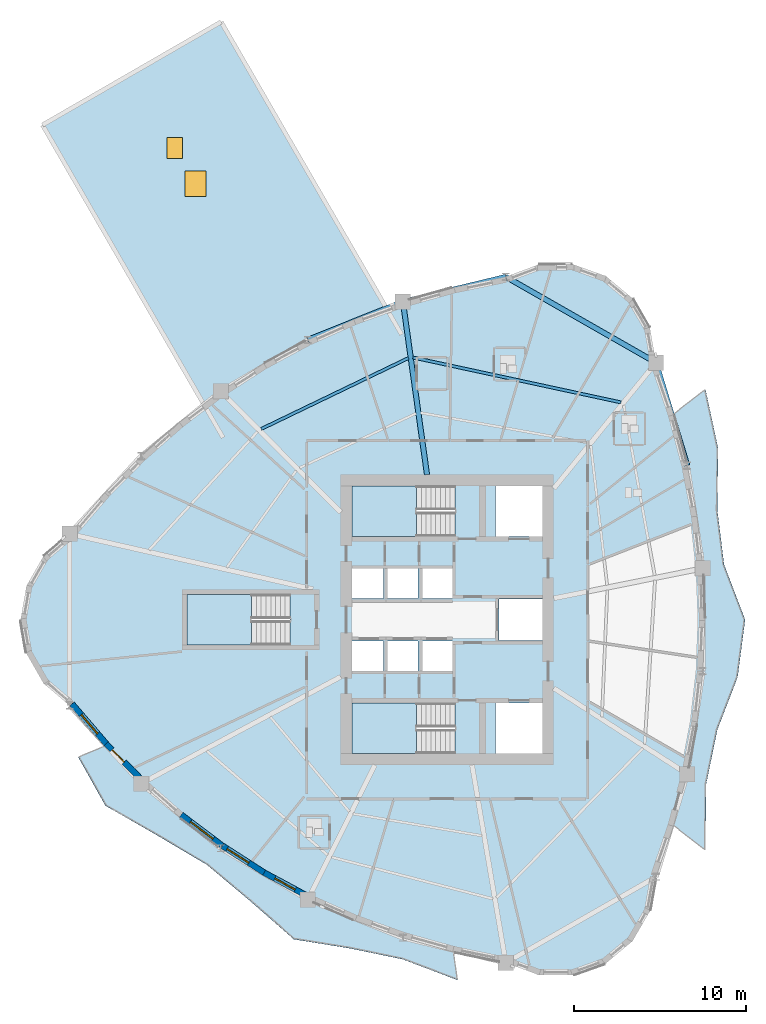
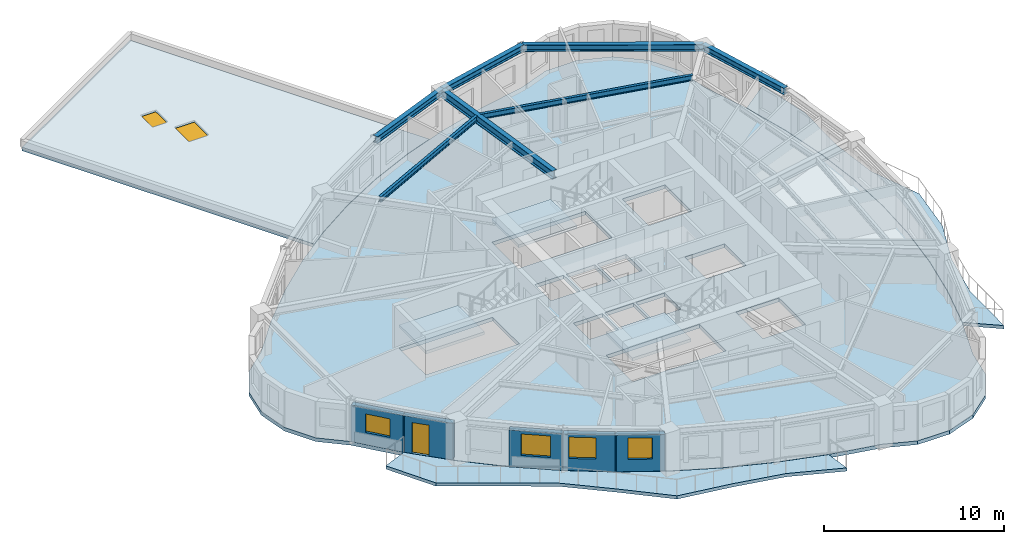
# One storey, part 2 of 13: 7 beams, 7 slabs, 6 windows, 5 walls, 1 door, 7 openings, 3 elements without a shape of their own.
"""IFC4 building model written with IfcOpenShell, lengths in metres."""

from ifc_helpers import new_model, si_unit, direction, frame, frame_2d, origin, origin_2d, place, context, subcontext, project, spatial, polyline, rectangle, i_section, outline, extrude, source, transform, mapped, material, layer, layer_set, material_profile, profile_set, type_object, element, fill, aggregate, save


model = new_model("IFC4")

# Units and contexts
model_context = context("Model", 3, precision=1e-05, world=origin(), true_north=direction((0.0, 1.0)))
body_context = subcontext(model_context, "Body", "Model", "MODEL_VIEW")
ifc_project = project(units=[si_unit("LENGTHUNIT", "METRE"), si_unit("AREAUNIT", "SQUARE_METRE"), si_unit("VOLUMEUNIT", "CUBIC_METRE"), si_unit("PLANEANGLEUNIT", "RADIAN"), si_unit("MASSUNIT", "GRAM", prefix="KILO")], contexts=[model_context])

# Site, building, storey
site_placement = place(None, origin())
site = spatial("IfcSite", under=ifc_project, at=site_placement, CompositionType="ELEMENT")
building_placement = place(site_placement, origin())
building = spatial("IfcBuilding", under=site, at=building_placement, Name="Qafzar Sky-Pleat Residences", CompositionType="ELEMENT")
storey_placement = place(building_placement, frame((0.0, 0.0, 89.60009765625)))
storey = spatial("IfcBuildingStorey", under=building, at=storey_placement, Name="L26", CompositionType="ELEMENT", Elevation=89.60009765625)

# Beams
ifc_material_1 = material(Name="Steel S355", Category="steel")
ifc_material_profile_1 = material_profile(ifc_material_1, i_section(OverallWidth=0.300048828125, OverallDepth=0.449951171875, WebThickness=0.013916015625, FlangeThickness=0.02587890625, FilletRadius=0.027099609375, at=origin_2d()), Name="HEB 450")
ifc_profile_set_1 = profile_set([ifc_material_profile_1], Name="Steel S355")
beam_type_1 = type_object("IfcBeamType", Name="BM-SPAN-HEB450", PredefinedType="SPANDREL", material=ifc_profile_set_1)
shared_shape_1 = source(origin(), body_context, "Body", "SweptSolid", [
    extrude(i_section(OverallWidth=0.300048828125, OverallDepth=0.449951171875, WebThickness=0.013916015625, FlangeThickness=0.02587890625, FilletRadius=0.027099609375, at=origin_2d()), origin(), (0.0, 0.0, 1.0), 10.072021484375),
])
beam_1_placement = place(storey_placement, frame((42.5048828125, 40.97119140625, 2.722900390625), z_axis=(-0.868286397172, 0.496063234363, 0.0), x_axis=(-0.496063234363, -0.868286397172, 0.0)))
element("IfcBeam", 1, at=beam_1_placement, inside=storey, type_object=beam_type_1, Name="L26 Perimeter Spandrel Beam 13", PredefinedType="SPANDREL", context=body_context, shape_type="MappedRepresentation", body=[
    mapped(shared_shape_1, transform((0.0, 0.0, 0.0), x_axis=(1.0, 0.0, 0.0), y_axis=(0.0, 1.0, 0.0), z_axis=(0.0, 0.0, 1.0), scale=1.0)),
])
shared_shape_2 = source(origin(), body_context, "Body", "SweptSolid", [
    extrude(i_section(OverallWidth=0.300048828125, OverallDepth=0.449951171875, WebThickness=0.013916015625, FlangeThickness=0.02587890625, FilletRadius=0.027099609375, at=origin_2d()), origin(), (0.0, 0.0, 1.0), 6.162353515625),
])
beam_2_placement = place(storey_placement, frame((33.759521484375, 45.967529296875, 2.722900390625), z_axis=(-0.971914942444, -0.235332413098, 0.0), x_axis=(0.235332413098, -0.971914942444, 0.0)))
element("IfcBeam", 2, at=beam_2_placement, inside=storey, type_object=beam_type_1, Name="L26 Perimeter Spandrel Beam 14", PredefinedType="SPANDREL", context=body_context, shape_type="MappedRepresentation", body=[
    mapped(shared_shape_2, transform((0.0, 0.0, 0.0), x_axis=(1.0, 0.0, 0.0), y_axis=(0.0, 1.0, 0.0), z_axis=(0.0, 0.0, 1.0), scale=1.0)),
])
shared_shape_3 = source(origin(), body_context, "Body", "SweptSolid", [
    extrude(i_section(OverallWidth=0.300048828125, OverallDepth=0.449951171875, WebThickness=0.013916015625, FlangeThickness=0.02587890625, FilletRadius=0.027099609375, at=origin_2d()), origin(), (0.0, 0.0, 1.0), 5.963623046875),
])
beam_3_placement = place(storey_placement, frame((27.770263671875, 44.517333984375, 2.722900390625), z_axis=(-0.92796478, -0.372667904546, 0.0), x_axis=(0.372667904546, -0.92796478, 0.0)))
element("IfcBeam", 3, at=beam_3_placement, inside=storey, type_object=beam_type_1, Name="L26 Perimeter Spandrel Beam 15", PredefinedType="SPANDREL", context=body_context, shape_type="MappedRepresentation", body=[
    mapped(shared_shape_3, transform((0.0, 0.0, 0.0), x_axis=(1.0, 0.0, 0.0), y_axis=(0.0, 1.0, 0.0), z_axis=(0.0, 0.0, 1.0), scale=1.0)),
])
shared_shape_4 = source(origin(), body_context, "Body", "SweptSolid", [
    extrude(i_section(OverallWidth=0.300048828125, OverallDepth=0.449951171875, WebThickness=0.013916015625, FlangeThickness=0.02587890625, FilletRadius=0.027099609375, at=origin_2d()), origin(), (0.0, 0.0, 1.0), 6.259033203125),
])
beam_4_placement = place(storey_placement, frame((44.325439453125, 34.982666015625, 2.722900390625), z_axis=(-0.290863594667, 0.956764531793, 0.0), x_axis=(-0.956764531793, -0.290863594667, 0.0)))
element("IfcBeam", 4, at=beam_4_placement, inside=storey, type_object=beam_type_1, Name="L26 Perimeter Spandrel Beam 12", PredefinedType="SPANDREL", context=body_context, shape_type="MappedRepresentation", body=[
    mapped(shared_shape_4, transform((0.0, 0.0, 0.0), x_axis=(1.0, 0.0, 0.0), y_axis=(0.0, 1.0, 0.0), z_axis=(0.0, 0.0, 1.0), scale=1.0)),
])
ifc_material_profile_2 = material_profile(ifc_material_1, i_section(OverallWidth=0.300048828125, OverallDepth=0.550048828125, WebThickness=0.014892578125, FlangeThickness=0.029052734375, FilletRadius=0.027099609375, at=origin_2d()), Name="HEB 550")
ifc_profile_set_2 = profile_set([ifc_material_profile_2], Name="Steel S355")
beam_type_2 = type_object("IfcBeamType", Name="BM-GIRD-HEB550", PredefinedType="BEAM", material=ifc_profile_set_2)
shared_shape_5 = source(origin(), body_context, "Body", "SweptSolid", [
    extrude(i_section(OverallWidth=0.300048828125, OverallDepth=0.550048828125, WebThickness=0.014892578125, FlangeThickness=0.029052734375, FilletRadius=0.027099609375, at=origin_2d()), origin(), (0.0, 0.0, 1.0), 10.16455078125),
])
beam_5_placement = place(storey_placement, frame((27.770263671875, 44.517333984375, 2.6728515625), z_axis=(0.137987276629, -0.990434001581, 0.0), x_axis=(0.990434001581, 0.137987276629, 0.0)))
element("IfcBeam", 5, at=beam_5_placement, inside=storey, type_object=beam_type_2, Name="L26 Radial Floor Girder 15", PredefinedType="BEAM", context=body_context, shape_type="MappedRepresentation", body=[
    mapped(shared_shape_5, transform((0.0, 0.0, 0.0), x_axis=(1.0, 0.0, 0.0), y_axis=(0.0, 1.0, 0.0), z_axis=(0.0, 0.0, 1.0), scale=1.0)),
])
ifc_material_profile_3 = material_profile(ifc_material_1, i_section(OverallWidth=0.169921875, OverallDepth=0.360107421875, WebThickness=0.008056640625, FlangeThickness=0.0126953125, FilletRadius=0.01806640625, at=origin_2d()), Name="IPE 360")
ifc_profile_set_3 = profile_set([ifc_material_profile_3], Name="Steel S355")
beam_type_3 = type_object("IfcBeamType", Name="BM-JST-IPE360", PredefinedType="JOIST", material=ifc_profile_set_3)
shared_shape_6 = source(origin(), body_context, "Body", "SweptSolid", [
    extrude(i_section(OverallWidth=0.169921875, OverallDepth=0.360107421875, WebThickness=0.008056640625, FlangeThickness=0.0126953125, FilletRadius=0.01806640625, at=origin_2d()), origin(), (0.0, 0.0, 1.0), 12.39501953125),
])
beam_6_placement = place(storey_placement, frame((40.46728515625, 38.652587890625, 2.767822265625), z_axis=(-0.977496999627, 0.210949320263, 0.0), x_axis=(-0.210949320263, -0.977496999627, 0.0)))
element("IfcBeam", 6, at=beam_6_placement, inside=storey, type_object=beam_type_3, Name="L26 Outer Secondary Floor Joist 7", PredefinedType="JOIST", context=body_context, shape_type="MappedRepresentation", body=[
    mapped(shared_shape_6, transform((0.0, 0.0, 0.0), x_axis=(1.0, 0.0, 0.0), y_axis=(0.0, 1.0, 0.0), z_axis=(0.0, 0.0, 1.0), scale=1.0)),
])
shared_shape_7 = source(origin(), body_context, "Body", "SweptSolid", [
    extrude(i_section(OverallWidth=0.169921875, OverallDepth=0.360107421875, WebThickness=0.008056640625, FlangeThickness=0.0126953125, FilletRadius=0.01806640625, at=origin_2d()), origin(), (0.0, 0.0, 1.0), 9.524658203125),
])
beam_7_placement = place(storey_placement, frame((28.097412109375, 41.2373046875, 2.767822265625), z_axis=(-0.90090776725, -0.434010593083, 0.0), x_axis=(0.434010593083, -0.90090776725, 0.0)))
element("IfcBeam", 7, at=beam_7_placement, inside=storey, type_object=beam_type_3, Name="L26 Outer Secondary Floor Joist 8", PredefinedType="JOIST", context=body_context, shape_type="MappedRepresentation", body=[
    mapped(shared_shape_7, transform((0.0, 0.0, 0.0), x_axis=(1.0, 0.0, 0.0), y_axis=(0.0, 1.0, 0.0), z_axis=(0.0, 0.0, 1.0), scale=1.0)),
])

# Slabs
ifc_material_2 = material(Name="Concrete C40/50", Category="concrete")
ifc_layer_1 = layer(ifc_material_2, 0.219970703125)
ifc_layer_set_1 = layer_set([ifc_layer_1], Name="Concrete C40/50")
slab_type_1 = type_object("IfcSlabType", Name="SLAB-BAL-220", PredefinedType="USERDEFINED", material=ifc_layer_set_1)
slab_1_placement = place(storey_placement, frame((0.0, 0.0, -0.22021484375)))
element("IfcSlab", 8, at=slab_1_placement, inside=storey, type_object=slab_type_1, Name="L26 Pleated Stone Balcony 1", ObjectType="BALCONY", PredefinedType="USERDEFINED", context=body_context, shape_type="SweptSolid", body=[
    extrude(outline(polyline([(44.3359375, 17.011474609375), (44.90576171875, 20.007568359375), (45.24755859375, 23.003662109375), (45.361572265625, 26.0), (45.24755859375, 28.996337890625), (44.90576171875, 31.992431640625), (44.3359375, 34.988525390625), (43.53857421875, 37.984130859375), (45.38427734375, 39.40771484375), (46.12158203125, 35.970947265625), (46.072509765625, 32.406005859375), (46.46728515625, 29.2080078125), (47.6923828125, 26.0), (47.25537109375, 22.65478515625), (46.072509765625, 19.593994140625), (45.420654296875, 16.414794921875), (45.38427734375, 12.59228515625), (43.53857421875, 14.015869140625), (44.3359375, 17.011474609375)])), origin(), (0.0, 0.0, 1.0), 0.22021484375),
])
slab_2_placement = place(storey_placement, frame((0.0, 0.0, -0.22021484375)))
element("IfcSlab", 9, at=slab_2_placement, inside=storey, type_object=slab_type_1, Name="L26 Pleated Stone Balcony 2", ObjectType="BALCONY", PredefinedType="USERDEFINED", context=body_context, shape_type="SweptSolid", body=[
    extrude(outline(polyline([(12.5234375, 16.458984375), (14.779541015625, 14.477783203125), (17.14990234375, 12.68994140625), (19.634033203125, 11.09521484375), (22.232421875, 9.693603515625), (24.9443359375, 8.485595703125), (27.770263671875, 7.470703125), (30.709716796875, 6.649169921875), (30.936767578125, 5.027099609375), (27.7548828125, 6.23291015625), (24.662841796875, 6.8720703125), (21.419189453125, 7.395263671875), (18.832275390625, 9.666748046875), (16.36767578125, 11.730224609375), (13.544677734375, 13.401611328125), (10.447998046875, 15.1796875), (8.8701171875, 18.00146484375), (10.38134765625, 18.63330078125), (12.5234375, 16.458984375)])), origin(), (0.0, 0.0, 1.0), 0.22021484375),
])
ifc_layer_2 = layer(ifc_material_2, 0.25)
ifc_layer_set_2 = layer_set([ifc_layer_2], Name="Concrete C40/50")
slab_type_2 = type_object("IfcSlabType", Name="SLAB-FLR-250", PredefinedType="FLOOR", material=ifc_layer_set_2)
slab_3_placement = place(storey_placement, frame((0.0, 0.0, -0.25)))
element("IfcSlab", 10, at=slab_3_placement, inside=storey, type_object=slab_type_2, Name="L26 Structural Floor Slab", PredefinedType="FLOOR", context=body_context, shape_type="SweptSolid", body=[
    extrude(outline(polyline([(8.364990234375, 30.996337890625), (6.844970703125, 29.701171875), (5.854248046875, 27.96728515625), (5.510498046875, 26.0), (5.854248046875, 24.03271484375), (6.844970703125, 22.298828125), (8.364990234375, 21.003662109375), (10.392333984375, 18.637939453125), (12.53369140625, 16.46533203125), (14.78857421875, 14.48583984375), (17.157470703125, 12.69921875), (19.639892578125, 11.105712890625), (22.236328125, 9.705078125), (24.9462890625, 8.497314453125), (27.770263671875, 7.482666015625), (30.7080078125, 6.6611328125), (33.759521484375, 6.032470703125), (35.654541015625, 5.32470703125), (37.677490234375, 5.31103515625), (39.58203125, 5.992919921875), (41.13671875, 7.287109375), (42.152099609375, 9.036865234375), (42.5048828125, 11.02880859375), (43.529052734375, 14.023193359375), (44.325439453125, 17.017333984375), (44.894287109375, 20.011474609375), (45.235595703125, 23.005859375), (45.349609375, 26.0), (45.235595703125, 28.994140625), (44.894287109375, 31.988525390625), (44.325439453125, 34.982666015625), (43.529052734375, 37.976806640625), (42.5048828125, 40.97119140625), (42.152099609375, 42.963134765625), (41.13671875, 44.712890625), (39.58203125, 46.007080078125), (37.677490234375, 46.68896484375), (35.654541015625, 46.67529296875), (33.759521484375, 45.967529296875), (30.7080078125, 45.3388671875), (27.770263671875, 44.517333984375), (24.9462890625, 43.502685546875), (22.236328125, 42.294921875), (19.639892578125, 40.894287109375), (17.157470703125, 39.30078125), (14.78857421875, 37.51416015625), (12.53369140625, 35.53466796875), (10.392333984375, 33.362060546875), (8.364990234375, 30.996337890625)]), holes=[polyline([(30.797119140625, 21.14990234375), (24.800048828125, 21.14990234375), (24.800048828125, 18.199951171875), (30.797119140625, 18.199951171875), (30.797119140625, 21.14990234375)]), polyline([(30.797119140625, 33.800048828125), (24.800048828125, 33.800048828125), (24.800048828125, 30.85009765625), (30.797119140625, 30.85009765625), (30.797119140625, 33.800048828125)]), polyline([(21.197021484375, 27.47509765625), (15.199951171875, 27.47509765625), (15.199951171875, 24.52490234375), (21.197021484375, 24.52490234375), (21.197021484375, 27.47509765625)]), polyline([(24.800048828125, 22.949951171875), (26.64990234375, 22.949951171875), (26.64990234375, 24.75), (24.800048828125, 24.75), (24.800048828125, 22.949951171875)]), polyline([(26.800048828125, 22.949951171875), (28.64990234375, 22.949951171875), (28.64990234375, 24.75), (26.800048828125, 24.75), (26.800048828125, 22.949951171875)]), polyline([(28.800048828125, 22.949951171875), (30.64990234375, 22.949951171875), (30.64990234375, 24.75), (28.800048828125, 24.75), (28.800048828125, 22.949951171875)]), polyline([(24.800048828125, 27.25), (26.64990234375, 27.25), (26.64990234375, 29.050048828125), (24.800048828125, 29.050048828125), (24.800048828125, 27.25)]), polyline([(26.800048828125, 27.25), (28.64990234375, 27.25), (28.64990234375, 29.050048828125), (26.800048828125, 29.050048828125), (26.800048828125, 27.25)]), polyline([(28.800048828125, 27.25), (30.64990234375, 27.25), (30.64990234375, 29.050048828125), (28.800048828125, 29.050048828125), (28.800048828125, 27.25)]), polyline([(33.14990234375, 18.199951171875), (35.89990234375, 18.199951171875), (35.89990234375, 21.14990234375), (33.14990234375, 21.14990234375), (33.14990234375, 18.199951171875)]), polyline([(33.14990234375, 30.85009765625), (35.89990234375, 30.85009765625), (35.89990234375, 33.800048828125), (33.14990234375, 33.800048828125), (33.14990234375, 30.85009765625)]), polyline([(33.35009765625, 24.800048828125), (35.89990234375, 24.800048828125), (35.89990234375, 27.199951171875), (33.35009765625, 27.199951171875), (33.35009765625, 24.800048828125)])]), origin(), (0.0, 0.0, 1.0), 0.25),
])

# Stair, slab
stair_type = type_object("IfcStairType", Name="STAIR-H320", PredefinedType="HALF_TURN_STAIR", material=ifc_material_2)
stair_1_placement = place(storey_placement, origin())
stair_1 = element("IfcStair", 11, at=stair_1_placement, inside=storey, type_object=stair_type, Name="L26 Protected Exit Stair ST1", PredefinedType="HALF_TURN_STAIR")
ifc_layer_3 = layer(ifc_material_2, 0.199951171875)
ifc_layer_set_3 = layer_set([ifc_layer_3], Name="Concrete C40/50")
slab_type_3 = type_object("IfcSlabType", Name="SLAB-LANDING-200", PredefinedType="LANDING", material=ifc_layer_set_3)
slab_4_placement = place(storey_placement, frame((0.0, 0.0, 1.39990234375)))
slab_4 = element("IfcSlab", 12, at=slab_4_placement, type_object=slab_type_3, Name="ST1 landing 1", PredefinedType="LANDING", context=body_context, shape_type="SweptSolid", body=[
    extrude(outline(polyline([(28.56005859375, 21.14990234375), (24.800048828125, 21.14990234375), (24.800048828125, 18.199951171875), (28.56005859375, 18.199951171875), (28.56005859375, 21.14990234375)])), origin(), (0.0, 0.0, 1.0), 0.199951171875),
])
aggregate(stair_1, [slab_4])

stair_2_placement = place(storey_placement, origin())
stair_2 = element("IfcStair", 13, at=stair_2_placement, inside=storey, type_object=stair_type, Name="L26 Protected Exit Stair ST2", PredefinedType="HALF_TURN_STAIR")
slab_5_placement = place(storey_placement, frame((0.0, 0.0, 1.39990234375)))
slab_5 = element("IfcSlab", 14, at=slab_5_placement, type_object=slab_type_3, Name="ST2 landing 1", PredefinedType="LANDING", context=body_context, shape_type="SweptSolid", body=[
    extrude(outline(polyline([(28.56005859375, 33.800048828125), (24.800048828125, 33.800048828125), (24.800048828125, 30.85009765625), (28.56005859375, 30.85009765625), (28.56005859375, 33.800048828125)])), origin(), (0.0, 0.0, 1.0), 0.199951171875),
])
aggregate(stair_2, [slab_5])

stair_3_placement = place(storey_placement, origin())
stair_3 = element("IfcStair", 15, at=stair_3_placement, inside=storey, type_object=stair_type, Name="L26 Protected Exit Stair ST3", PredefinedType="HALF_TURN_STAIR")
slab_6_placement = place(storey_placement, frame((0.0, 0.0, 1.39990234375)))
slab_6 = element("IfcSlab", 16, at=slab_6_placement, type_object=slab_type_3, Name="ST3 landing 1", PredefinedType="LANDING", context=body_context, shape_type="SweptSolid", body=[
    extrude(outline(polyline([(18.9599609375, 27.47509765625), (15.199951171875, 27.47509765625), (15.199951171875, 24.52490234375), (18.9599609375, 24.52490234375), (18.9599609375, 27.47509765625)])), origin(), (0.0, 0.0, 1.0), 0.199951171875),
])
aggregate(stair_3, [slab_6])

# Slab, openings, windows
ifc_layer_4 = layer(ifc_material_2, 0.235107421875)
ifc_layer_set_4 = layer_set([ifc_layer_4], Name="Concrete C40/50")
slab_type_4 = type_object("IfcSlabType", Name="SLAB-ROOF-235", PredefinedType="ROOF", material=ifc_layer_set_4)
slab_7_placement = place(storey_placement, frame((0.0, 0.0, -0.235107421875)))
slab_7 = element("IfcSlab", 17, at=slab_7_placement, inside=storey, type_object=slab_type_4, Name="L26 SB-2 Weatherproof Roof Deck", PredefinedType="ROOF", context=body_context, shape_type="SweptSolid", body=[
    extrude(outline(polyline([(6.792236328125, 54.802978515625), (17.1845703125, 60.802978515625), (26.782958984375, 44.178466796875), (24.94140625, 43.5166015625), (24.940185546875, 43.516357421875), (22.230224609375, 42.30859375), (22.229248046875, 42.30810546875), (19.6328125, 40.90771484375), (19.6318359375, 40.906982421875), (17.1494140625, 39.3134765625), (17.1484375, 39.312744140625), (16.164306640625, 38.570556640625), (6.792236328125, 54.802978515625)])), origin(), (0.0, 0.0, 1.0), 0.235107421875),
])
opening_1_placement = place(slab_7_placement, frame((15.6943359375, 51.384521484375, -0.010009765625)))
opening_1 = element("IfcOpeningElement", 18, at=opening_1_placement, cuts=slab_7, Name="Opening RH-01", PredefinedType="OPENING", context=body_context, shape_type="SweptSolid", body=[
    extrude(rectangle(XDim=1.199951171875, YDim=1.5, at=origin_2d()), origin(), (0.0, 0.0, 1.0), 0.255126953125),
])
opening_2_placement = place(slab_7_placement, frame((14.494384765625, 53.462890625, -0.010009765625)))
opening_2 = element("IfcOpeningElement", 19, at=opening_2_placement, cuts=slab_7, Name="Opening RH-02", PredefinedType="OPENING", context=body_context, shape_type="SweptSolid", body=[
    extrude(rectangle(XDim=0.89990234375, YDim=1.199951171875, at=origin_2d()), origin(), (0.0, 0.0, 1.0), 0.255126953125),
])
ifc_material_3 = material(Name="Insulated safety glass roof hatch", Category="glass")
window_type_1 = type_object("IfcWindowType", Name="WIN-SKYLIGHT-1200", PartitioningType="SINGLE_PANEL", PredefinedType="SKYLIGHT", material=ifc_material_3)
window_1_placement = place(slab_7_placement, frame((15.6943359375, 51.384521484375, 0.18505859375)))
window_1 = element("IfcWindow", 20, at=window_1_placement, inside=storey, type_object=window_type_1, Name="L26 SB-2 Roof Maintenance Skylight Hatch", OverallHeight=1.5, OverallWidth=1.199951171875, PartitioningType="SINGLE_PANEL", PredefinedType="SKYLIGHT", context=body_context, shape_type="SweptSolid", body=[
    extrude(rectangle(XDim=1.199951171875, YDim=1.5, at=origin_2d()), origin(), (0.0, 0.0, 1.0), 0.050048828125),
])
fill(opening_1, window_1)
window_type_2 = type_object("IfcWindowType", Name="WIN-SKYLIGHT-900", PartitioningType="SINGLE_PANEL", PredefinedType="SKYLIGHT", material=ifc_material_3)
window_2_placement = place(slab_7_placement, frame((14.494384765625, 53.462890625, 0.18505859375)))
window_2 = element("IfcWindow", 21, at=window_2_placement, inside=storey, type_object=window_type_2, Name="L26 SB-2 Roof Inspection Skylight Hatch", OverallHeight=1.199951171875, OverallWidth=0.89990234375, PartitioningType="SINGLE_PANEL", PredefinedType="SKYLIGHT", context=body_context, shape_type="SweptSolid", body=[
    extrude(rectangle(XDim=0.89990234375, YDim=1.199951171875, at=origin_2d()), origin(), (0.0, 0.0, 1.0), 0.050048828125),
])
fill(opening_2, window_2)

# Wall, opening, window
ifc_material_4 = material(Name="Precast concrete C40/50 with honed Riyadh limestone", Category="concrete")
ifc_layer_5 = layer(ifc_material_4, 0.340087890625)
ifc_layer_set_5 = layer_set([ifc_layer_5], Name="Precast concrete C40/50 with honed Riyadh limestone")
wall_type = type_object("IfcWallType", Name="WALL-EXT-340", PredefinedType="SOLIDWALL", material=ifc_layer_set_5)
wall_1_placement = place(storey_placement, frame((8.507080078125, 21.09912109375, 0.0), z_axis=(0.0, 0.0, 1.0), x_axis=(0.650714375508, -0.759322593834, 0.0)))
wall_1 = element("IfcWall", 22, at=wall_1_placement, inside=storey, type_object=wall_type, Name="L26 Limestone Facade Wall 7", PredefinedType="SOLIDWALL", context=body_context, shape_type="SweptSolid", body=[
    extrude(rectangle(XDim=3.133544921875, YDim=0.340087890625, at=frame_2d((1.56689453125, 0.0))), origin(), (0.0, 0.0, 1.0), 2.47998046875),
])
opening_3_placement = place(wall_1_placement, frame((0.831787109375, 0.0, 0.820068359375)))
opening_3 = element("IfcOpeningElement", 23, at=opening_3_placement, cuts=wall_1, Name="Opening WN-15", PredefinedType="OPENING", context=body_context, shape_type="SweptSolid", body=[
    extrude(rectangle(XDim=1.449951171875, YDim=1.25, at=frame_2d((0.72509765625, 0.625))), frame((0.0, 0.18017578125, 0.0), z_axis=(0.0, -1.0, 0.0), x_axis=(1.0, 0.0, 0.0)), (0.0, 0.0, 1.0), 0.360107421875),
])
ifc_material_5 = material(Name="Solar-control low-E glass in bronze aluminium frame", Category="glass")
window_type_3 = type_object("IfcWindowType", Name="WIN-15", PartitioningType="SINGLE_PANEL", PredefinedType="WINDOW", material=ifc_material_5)
shared_shape_8 = source(origin(), body_context, "Body", "SweptSolid", [
    extrude(rectangle(XDim=1.449951171875, YDim=1.25, at=frame_2d((0.72509765625, 0.625))), frame((0.0, 0.030029296875, 0.0), z_axis=(0.0, -1.0, 0.0), x_axis=(1.0, 0.0, 0.0)), (0.0, 0.0, 1.0), 0.06005859375),
])
window_3_placement = place(opening_3_placement, origin())
window_3 = element("IfcWindow", 24, at=window_3_placement, inside=storey, type_object=window_type_3, Name="L26 Punched Facade Window 07", OverallHeight=1.25, OverallWidth=1.449951171875, PartitioningType="SINGLE_PANEL", PredefinedType="WINDOW", context=body_context, shape_type="MappedRepresentation", body=[
    mapped(shared_shape_8, transform((0.0, 0.0, 0.0), x_axis=(1.0, 0.0, 0.0), y_axis=(0.0, 1.0, 0.0), z_axis=(0.0, 0.0, 1.0), scale=1.0)),
])
fill(opening_3, window_3)

# Wall, opening, door
wall_2_placement = place(storey_placement, frame((10.48681640625, 18.784423828125, 0.0), z_axis=(0.0, 0.0, 1.0), x_axis=(0.701920439278, -0.71225535935, 0.0)))
wall_2 = element("IfcWall", 25, at=wall_2_placement, inside=storey, type_object=wall_type, Name="L26 Limestone Facade Wall 8", PredefinedType="SOLIDWALL", context=body_context, shape_type="SweptSolid", body=[
    extrude(rectangle(XDim=2.8583984375, YDim=0.340087890625, at=frame_2d((1.42919921875, 0.0))), origin(), (0.0, 0.0, 1.0), 2.47998046875),
])
opening_4_placement = place(wall_2_placement, frame((0.50048828125, 0.0, 0.0)))
opening_4 = element("IfcOpeningElement", 26, at=opening_4_placement, cuts=wall_2, Name="Opening ED-05", PredefinedType="OPENING", context=body_context, shape_type="SweptSolid", body=[
    extrude(rectangle(XDim=1.0, YDim=2.10009765625, at=frame_2d((0.5, 1.050048828125))), frame((0.0, 0.18017578125, 0.0), z_axis=(0.0, -1.0, 0.0), x_axis=(1.0, 0.0, 0.0)), (0.0, 0.0, 1.0), 0.360107421875),
])
ifc_material_6 = material(Name="Glazed bronze aluminium door", Category="aluminium")
door_type = type_object("IfcDoorType", Name="DR-BAL-1000", OperationType="NOTDEFINED", PredefinedType="DOOR", material=ifc_material_6)
shared_shape_9 = source(origin(), body_context, "Body", "SweptSolid", [
    extrude(rectangle(XDim=1.0, YDim=2.10009765625, at=frame_2d((0.5, 1.050048828125))), frame((0.0, 0.02490234375, 0.0), z_axis=(0.0, -1.0, 0.0), x_axis=(1.0, 0.0, 0.0)), (0.0, 0.0, 1.0), 0.050048828125),
])
door_placement = place(opening_4_placement, origin())
door = element("IfcDoor", 27, at=door_placement, inside=storey, type_object=door_type, Name="L26 Glazed Balcony Door 2", OperationType="SINGLE_SWING_LEFT", OverallHeight=2.10009765625, OverallWidth=1.0, PredefinedType="DOOR", context=body_context, shape_type="MappedRepresentation", body=[
    mapped(shared_shape_9, transform((0.0, 0.0, 0.0), x_axis=(1.0, 0.0, 0.0), y_axis=(0.0, 1.0, 0.0), z_axis=(0.0, 0.0, 1.0), scale=1.0)),
])
fill(opening_4, door)

# Wall, opening, window
wall_3_placement = place(storey_placement, frame((14.860595703125, 14.644287109375, 0.0), z_axis=(0.0, 0.0, 1.0), x_axis=(0.798407246828, -0.602117819212, 0.0)))
wall_3 = element("IfcWall", 28, at=wall_3_placement, inside=storey, type_object=wall_type, Name="L26 Limestone Facade Wall 10", PredefinedType="SOLIDWALL", context=body_context, shape_type="SweptSolid", body=[
    extrude(rectangle(XDim=2.985107421875, YDim=0.340087890625, at=frame_2d((1.49267578125, 0.0))), origin(), (0.0, 0.0, 1.0), 2.47998046875),
])
opening_5_placement = place(wall_3_placement, frame((0.677490234375, 0.0, 0.820068359375)))
opening_5 = element("IfcOpeningElement", 29, at=opening_5_placement, cuts=wall_3, Name="Opening WN-02", PredefinedType="OPENING", context=body_context, shape_type="SweptSolid", body=[
    extrude(rectangle(XDim=1.64990234375, YDim=1.449951171875, at=frame_2d((0.824951171875, 0.72509765625))), frame((0.0, 0.18017578125, 0.0), z_axis=(0.0, -1.0, 0.0), x_axis=(1.0, 0.0, 0.0)), (0.0, 0.0, 1.0), 0.360107421875),
])
window_type_4 = type_object("IfcWindowType", Name="WIN-02", PartitioningType="DOUBLE_PANEL_VERTICAL", PredefinedType="WINDOW", material=ifc_material_5)
shared_shape_10 = source(origin(), body_context, "Body", "SweptSolid", [
    extrude(rectangle(XDim=1.64990234375, YDim=1.449951171875, at=frame_2d((0.824951171875, 0.72509765625))), frame((0.0, 0.030029296875, 0.0), z_axis=(0.0, -1.0, 0.0), x_axis=(1.0, 0.0, 0.0)), (0.0, 0.0, 1.0), 0.06005859375),
])
window_4_placement = place(opening_5_placement, origin())
window_4 = element("IfcWindow", 30, at=window_4_placement, inside=storey, type_object=window_type_4, Name="L26 Punched Facade Window 10", OverallHeight=1.449951171875, OverallWidth=1.64990234375, PartitioningType="SINGLE_PANEL", PredefinedType="WINDOW", context=body_context, shape_type="MappedRepresentation", body=[
    mapped(shared_shape_10, transform((0.0, 0.0, 0.0), x_axis=(1.0, 0.0, 0.0), y_axis=(0.0, 1.0, 0.0), z_axis=(0.0, 0.0, 1.0), scale=1.0)),
])
fill(opening_5, window_4)

wall_4_placement = place(storey_placement, frame((17.26611328125, 12.83154296875, 0.0), z_axis=(0.0, 0.0, 1.0), x_axis=(0.841493702039, -0.540266924241, 0.0)))
wall_4 = element("IfcWall", 31, at=wall_4_placement, inside=storey, type_object=wall_type, Name="L26 Limestone Facade Wall 11", PredefinedType="SOLIDWALL", context=body_context, shape_type="SweptSolid", body=[
    extrude(rectangle(XDim=2.968017578125, YDim=0.340087890625, at=frame_2d((1.48388671875, 0.0))), origin(), (0.0, 0.0, 1.0), 2.47998046875),
])
opening_6_placement = place(wall_4_placement, frame((0.320556640625, 0.0, 0.820068359375)))
opening_6 = element("IfcOpeningElement", 32, at=opening_6_placement, cuts=wall_4, Name="Opening WN-03", PredefinedType="OPENING", context=body_context, shape_type="SweptSolid", body=[
    extrude(rectangle(XDim=1.5, YDim=1.449951171875, at=frame_2d((0.75, 0.72509765625))), frame((0.0, 0.18017578125, 0.0), z_axis=(0.0, -1.0, 0.0), x_axis=(1.0, 0.0, 0.0)), (0.0, 0.0, 1.0), 0.360107421875),
])
window_type_5 = type_object("IfcWindowType", Name="WIN-03", PartitioningType="DOUBLE_PANEL_VERTICAL", PredefinedType="WINDOW", material=ifc_material_5)
shared_shape_11 = source(origin(), body_context, "Body", "SweptSolid", [
    extrude(rectangle(XDim=1.5, YDim=1.449951171875, at=frame_2d((0.75, 0.72509765625))), frame((0.0, 0.030029296875, 0.0), z_axis=(0.0, -1.0, 0.0), x_axis=(1.0, 0.0, 0.0)), (0.0, 0.0, 1.0), 0.06005859375),
])
window_5_placement = place(opening_6_placement, origin())
window_5 = element("IfcWindow", 33, at=window_5_placement, inside=storey, type_object=window_type_5, Name="L26 Punched Facade Window 11", OverallHeight=1.449951171875, OverallWidth=1.5, PartitioningType="SINGLE_PANEL", PredefinedType="WINDOW", context=body_context, shape_type="MappedRepresentation", body=[
    mapped(shared_shape_11, transform((0.0, 0.0, 0.0), x_axis=(1.0, 0.0, 0.0), y_axis=(0.0, 1.0, 0.0), z_axis=(0.0, 0.0, 1.0), scale=1.0)),
])
fill(opening_6, window_5)

wall_5_placement = place(storey_placement, frame((19.687255859375, 11.273193359375, 0.0), z_axis=(0.0, 0.0, 1.0), x_axis=(0.880115534419, -0.474759566595, 0.0)))
wall_5 = element("IfcWall", 34, at=wall_5_placement, inside=storey, type_object=wall_type, Name="L26 Limestone Facade Wall 12", PredefinedType="SOLIDWALL", context=body_context, shape_type="SweptSolid", body=[
    extrude(rectangle(XDim=2.7578125, YDim=0.340087890625, at=frame_2d((1.37890625, 0.0))), origin(), (0.0, 0.0, 1.0), 2.47998046875),
])
opening_7_placement = place(wall_5_placement, frame((0.708984375, 0.0, 0.820068359375)))
opening_7 = element("IfcOpeningElement", 35, at=opening_7_placement, cuts=wall_5, Name="Opening WN-04", PredefinedType="OPENING", context=body_context, shape_type="SweptSolid", body=[
    extrude(rectangle(XDim=1.35009765625, YDim=1.449951171875, at=frame_2d((0.675048828125, 0.72509765625))), frame((0.0, 0.18017578125, 0.0), z_axis=(0.0, -1.0, 0.0), x_axis=(1.0, 0.0, 0.0)), (0.0, 0.0, 1.0), 0.360107421875),
])
window_type_6 = type_object("IfcWindowType", Name="WIN-04", PartitioningType="SINGLE_PANEL", PredefinedType="WINDOW", material=ifc_material_5)
shared_shape_12 = source(origin(), body_context, "Body", "SweptSolid", [
    extrude(rectangle(XDim=1.35009765625, YDim=1.449951171875, at=frame_2d((0.675048828125, 0.72509765625))), frame((0.0, 0.030029296875, 0.0), z_axis=(0.0, -1.0, 0.0), x_axis=(1.0, 0.0, 0.0)), (0.0, 0.0, 1.0), 0.06005859375),
])
window_6_placement = place(opening_7_placement, origin())
window_6 = element("IfcWindow", 36, at=window_6_placement, inside=storey, type_object=window_type_6, Name="L26 Punched Facade Window 12", OverallHeight=1.449951171875, OverallWidth=1.35009765625, PartitioningType="SINGLE_PANEL", PredefinedType="WINDOW", context=body_context, shape_type="MappedRepresentation", body=[
    mapped(shared_shape_12, transform((0.0, 0.0, 0.0), x_axis=(1.0, 0.0, 0.0), y_axis=(0.0, 1.0, 0.0), z_axis=(0.0, 0.0, 1.0), scale=1.0)),
])
fill(opening_7, window_6)

save(model, "model.ifc")
